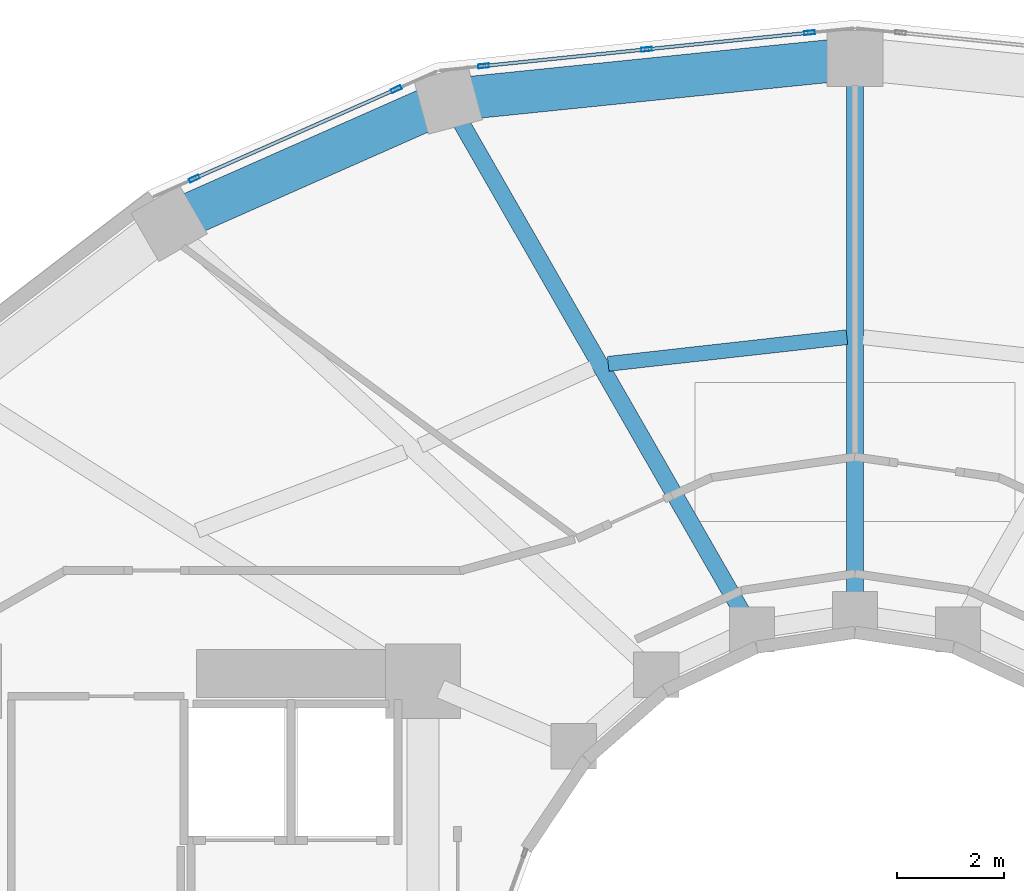
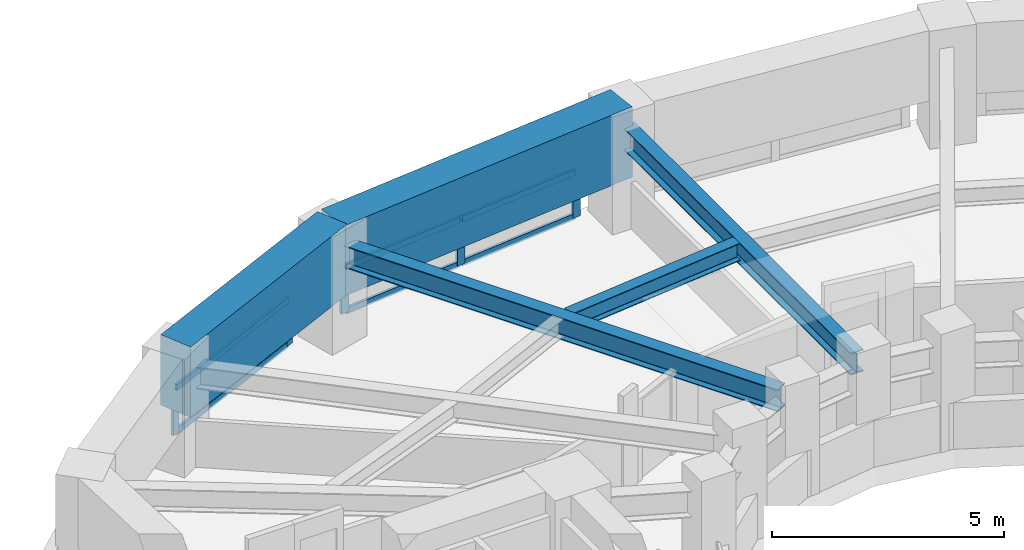
# One storey, part 8 of 19: 11 members, 5 beams, 2 elements without a shape of their own.
"""IFC4 building model written with IfcOpenShell, lengths in metres."""

from ifc_helpers import new_model, si_unit, direction, frame, origin, origin_2d, place, context, subcontext, project, spatial, rectangle, hollow_rectangle, i_section, extrude, material, layer, layer_set, material_profile, profile_set, type_object, element, aggregate, save


model = new_model("IFC4")

# Units and contexts
model_context = context("Model", 3, precision=1e-05, world=origin(), true_north=direction((0.0, 1.0)))
body_context = subcontext(model_context, "Body", "Model", "MODEL_VIEW")
ifc_project = project(units=[si_unit("LENGTHUNIT", "METRE"), si_unit("AREAUNIT", "SQUARE_METRE"), si_unit("VOLUMEUNIT", "CUBIC_METRE"), si_unit("PLANEANGLEUNIT", "RADIAN"), si_unit("MASSUNIT", "GRAM", prefix="KILO")], contexts=[model_context])

# Site, building, storey
site_placement = place(None, origin())
site = spatial("IfcSite", under=ifc_project, at=site_placement, CompositionType="ELEMENT")
building_placement = place(site_placement, origin())
building = spatial("IfcBuilding", under=site, at=building_placement, Name="Solvane Sanctuary Tower", CompositionType="ELEMENT")
storey_placement = place(building_placement, frame((0.0, 0.0, 73.199951171875)))
storey = spatial("IfcBuildingStorey", under=building, at=storey_placement, Name="L21", CompositionType="ELEMENT", Elevation=73.199951171875)

# Beams
ifc_material_1 = material(Name="Steel ASTM A992 Grade 50", Category="steel")
ifc_material_profile_1 = material_profile(ifc_material_1, i_section(OverallWidth=0.31494140625, OverallDepth=0.575927734375, WebThickness=0.01513671875, FlangeThickness=0.0244140625, FilletRadius=0.014892578125, at=origin_2d()), Name="W21X122")
ifc_profile_set_1 = profile_set([ifc_material_profile_1], Name="Steel ASTM A992 Grade 50")
beam_type_1 = type_object("IfcBeamType", Name="Beam B-RAD-Z2 W21X122", PredefinedType="BEAM", material=ifc_profile_set_1)
beam_1_placement = place(storey_placement, frame((32.0, 31.739990234375, 2.31005859375), z_axis=(0.0, 1.0, 0.0), x_axis=(-1.0, 0.0, 0.0)))
element("IfcBeam", 1, at=beam_1_placement, inside=storey, type_object=beam_type_1, Name="L21 Radial Composite Floor Beam 04", PredefinedType="BEAM", context=body_context, shape_type="SweptSolid", body=[
    extrude(i_section(OverallWidth=0.31494140625, OverallDepth=0.575927734375, WebThickness=0.01513671875, FlangeThickness=0.0244140625, FilletRadius=0.014892578125, at=origin_2d()), origin(), (0.0, 0.0, 1.0), 9.860107421875),
])
beam_2_placement = place(storey_placement, frame((29.9296875, 31.41455078125, 2.31005859375), z_axis=(-0.497792245326, 0.8672963049, 0.0), x_axis=(-0.8672963049, -0.497792245326, 0.0)))
element("IfcBeam", 2, at=beam_2_placement, inside=storey, type_object=beam_type_1, Name="L21 Radial Composite Floor Beam 05", PredefinedType="BEAM", context=body_context, shape_type="SweptSolid", body=[
    extrude(i_section(OverallWidth=0.31494140625, OverallDepth=0.575927734375, WebThickness=0.01513671875, FlangeThickness=0.0244140625, FilletRadius=0.014892578125, at=origin_2d()), origin(), (0.0, 0.0, 1.0), 10.887451171875),
])
ifc_material_profile_2 = material_profile(ifc_material_1, i_section(OverallWidth=0.280029296875, OverallDepth=0.462890625, WebThickness=0.0107421875, FlangeThickness=0.017333984375, FilletRadius=0.013916015625, at=origin_2d()), Name="W18X76")
ifc_profile_set_2 = profile_set([ifc_material_profile_2], Name="Steel ASTM A992 Grade 50")
beam_type_2 = type_object("IfcBeamType", Name="Beam B-SEC-JOIST W18X76", PredefinedType="JOIST", material=ifc_profile_set_2)
beam_3_placement = place(storey_placement, frame((27.37158203125, 36.15283203125, 2.366455078125), z_axis=(0.993814804173, 0.111050146357, 0.0), x_axis=(-0.111050146357, 0.993814804173, 0.0)))
element("IfcBeam", 3, at=beam_3_placement, inside=storey, type_object=beam_type_2, Name="L21 Secondary Circumferential Joist 05-04", PredefinedType="JOIST", context=body_context, shape_type="SweptSolid", body=[
    extrude(i_section(OverallWidth=0.280029296875, OverallDepth=0.462890625, WebThickness=0.0107421875, FlangeThickness=0.017333984375, FilletRadius=0.013916015625, at=origin_2d()), origin(), (0.0, 0.0, 1.0), 4.504638671875),
])
ifc_material_2 = material(Name="Concrete C70/85", Category="concrete")
ifc_material_profile_3 = material_profile(ifc_material_2, rectangle(XDim=0.800048828125, YDim=1.85009765625, at=origin_2d()), Name="RC800X1850")
ifc_profile_set_3 = profile_set([ifc_material_profile_3], Name="Concrete C70/85")
beam_type_3 = type_object("IfcBeamType", Name="Beam B-XFER-BLK RC800X1850", PredefinedType="BEAM", material=ifc_profile_set_3)
beam_4_placement = place(storey_placement, frame((19.1416015625, 38.7861328125, 2.175048828125), z_axis=(0.914461816427, 0.404672196101, 0.0), x_axis=(-0.404672196101, 0.914461816427, 0.0)))
element("IfcBeam", 4, at=beam_4_placement, inside=storey, type_object=beam_type_3, Name="L21 Perimeter Step Transfer Ring NTC06-NTC05", PredefinedType="BEAM", context=body_context, shape_type="SweptSolid", body=[
    extrude(rectangle(XDim=0.800048828125, YDim=1.85009765625, at=origin_2d()), origin(), (0.0, 0.0, 1.0), 5.718017578125),
])
beam_5_placement = place(storey_placement, frame((24.37060546875, 41.10009765625, 2.175048828125), z_axis=(0.994817332657, 0.101678289936, 0.0), x_axis=(-0.101678289936, 0.994817332657, 0.0)))
element("IfcBeam", 5, at=beam_5_placement, inside=storey, type_object=beam_type_3, Name="L21 Perimeter Step Transfer Ring NTC05-NTC04", PredefinedType="BEAM", context=body_context, shape_type="SweptSolid", body=[
    extrude(rectangle(XDim=0.800048828125, YDim=1.85009765625, at=origin_2d()), origin(), (0.0, 0.0, 1.0), 7.669189453125),
])

# Curtain wall, members
ifc_material_3 = material(Name="Anodised Aluminium 6063-T6", Category="aluminium")
ifc_layer = layer(ifc_material_3, 0.18994140625, Name="Anodised Aluminium 6063-T6")
ifc_layer_set = layer_set([ifc_layer], Name="Anodised Aluminium 6063-T6")
curtain_wall_type = type_object("IfcCurtainWallType", Name="Curtain Wall CW-OPER", PredefinedType="NOTDEFINED", material=ifc_layer_set)
curtain_wall_1_placement = place(storey_placement, origin())
curtain_wall_1 = element("IfcCurtainWall", 6, at=curtain_wall_1_placement, inside=storey, type_object=curtain_wall_type, Name="L21 CW-OPER Facade Run 06", PredefinedType="NOTDEFINED")
ifc_material_profile_4 = material_profile(ifc_material_3, hollow_rectangle(XDim=0.074951171875, YDim=0.199951171875, WallThickness=0.00390625, at=origin_2d()), Name="ALU200X75X4")
ifc_profile_set_4 = profile_set([ifc_material_profile_4], Name="Anodised Aluminium 6063-T6")
member_type_1 = type_object("IfcMemberType", Name="Member M-CW-MUL-1 ALU200X75X4", PredefinedType="MULLION", material=ifc_profile_set_4)
member_1_placement = place(storey_placement, frame((31.14697265625, 42.362060546875, 0.0), z_axis=(0.0, 0.0, 1.0), x_axis=(0.101658261166, -0.994819379554, 0.0)))
member_1 = element("IfcMember", 7, at=member_1_placement, type_object=member_type_1, Name="CW-OPER mullion 1", PredefinedType="MULLION", context=body_context, shape_type="SweptSolid", body=[
    extrude(hollow_rectangle(XDim=0.074951171875, YDim=0.199951171875, WallThickness=0.00390625, at=origin_2d()), origin(), (0.0, 0.0, 1.0), 1.219970703125),
])
member_2_placement = place(storey_placement, frame((28.091796875, 42.0498046875, 0.0), z_axis=(0.0, 0.0, 1.0), x_axis=(0.101658261166, -0.994819379554, 0.0)))
member_2 = element("IfcMember", 8, at=member_2_placement, type_object=member_type_1, Name="CW-OPER mullion 2", PredefinedType="MULLION", context=body_context, shape_type="SweptSolid", body=[
    extrude(hollow_rectangle(XDim=0.074951171875, YDim=0.199951171875, WallThickness=0.00390625, at=origin_2d()), origin(), (0.0, 0.0, 1.0), 1.219970703125),
])
member_3_placement = place(storey_placement, frame((25.036865234375, 41.73779296875, 0.0), z_axis=(0.0, 0.0, 1.0), x_axis=(0.101658261166, -0.994819379554, 0.0)))
member_3 = element("IfcMember", 9, at=member_3_placement, type_object=member_type_1, Name="CW-OPER mullion 3", PredefinedType="MULLION", context=body_context, shape_type="SweptSolid", body=[
    extrude(hollow_rectangle(XDim=0.074951171875, YDim=0.199951171875, WallThickness=0.00390625, at=origin_2d()), origin(), (0.0, 0.0, 1.0), 1.219970703125),
])

curtain_wall_2_placement = place(storey_placement, origin())
curtain_wall_2 = element("IfcCurtainWall", 10, at=curtain_wall_2_placement, inside=storey, type_object=curtain_wall_type, Name="L21 CW-OPER Facade Run 07", PredefinedType="NOTDEFINED")
member_4_placement = place(storey_placement, frame((23.399658203125, 41.30322265625, 0.0), z_axis=(0.0, 0.0, 1.0), x_axis=(0.404950504664, -0.914338607285, 0.0)))
member_4 = element("IfcMember", 11, at=member_4_placement, type_object=member_type_1, Name="CW-OPER mullion 1", PredefinedType="MULLION", context=body_context, shape_type="SweptSolid", body=[
    extrude(hollow_rectangle(XDim=0.074951171875, YDim=0.199951171875, WallThickness=0.00390625, at=origin_2d()), origin(), (0.0, 0.0, 1.0), 1.219970703125),
])
member_5_placement = place(storey_placement, frame((19.61083984375, 39.625244140625, 0.0), z_axis=(0.0, 0.0, 1.0), x_axis=(0.404950504664, -0.914338607285, 0.0)))
member_5 = element("IfcMember", 12, at=member_5_placement, type_object=member_type_1, Name="CW-OPER mullion 2", PredefinedType="MULLION", context=body_context, shape_type="SweptSolid", body=[
    extrude(hollow_rectangle(XDim=0.074951171875, YDim=0.199951171875, WallThickness=0.00390625, at=origin_2d()), origin(), (0.0, 0.0, 1.0), 1.219970703125),
])

# Member
ifc_material_profile_5 = material_profile(ifc_material_3, hollow_rectangle(XDim=0.06494140625, YDim=0.159912109375, WallThickness=0.00341796875, at=origin_2d()), Name="ALU160X65X3.5")
ifc_profile_set_5 = profile_set([ifc_material_profile_5], Name="Anodised Aluminium 6063-T6")
member_type_2 = type_object("IfcMemberType", Name="Member M-CW-TRN-1 ALU160X65X3.5", PredefinedType="USERDEFINED", material=ifc_profile_set_5)
member_6_placement = place(storey_placement, frame((31.109619140625, 42.358154296875, 0.032470703125), z_axis=(-0.994823556259, -0.101617379968, 0.0), x_axis=(0.101617379968, -0.994823556259, 0.0)))
member_6 = element("IfcMember", 13, at=member_6_placement, type_object=member_type_2, Name="CW-OPER transom 1.1", ObjectType="TRANSOM", PredefinedType="USERDEFINED", context=body_context, shape_type="SweptSolid", body=[
    extrude(hollow_rectangle(XDim=0.06494140625, YDim=0.159912109375, WallThickness=0.00341796875, at=origin_2d()), origin(), (0.0, 0.0, 1.0), 2.99609375),
])

member_7_placement = place(storey_placement, frame((31.109619140625, 42.358154296875, 1.1875), z_axis=(-0.994823556259, -0.101617379968, 0.0), x_axis=(0.101617379968, -0.994823556259, 0.0)))
member_7 = element("IfcMember", 14, at=member_7_placement, type_object=member_type_2, Name="CW-OPER transom 1.2", ObjectType="TRANSOM", PredefinedType="USERDEFINED", context=body_context, shape_type="SweptSolid", body=[
    extrude(hollow_rectangle(XDim=0.06494140625, YDim=0.159912109375, WallThickness=0.00341796875, at=origin_2d()), origin(), (0.0, 0.0, 1.0), 2.99609375),
])

member_8_placement = place(storey_placement, frame((28.054443359375, 42.046142578125, 0.032470703125), z_axis=(-0.994814472277, -0.101706271926, 0.0), x_axis=(0.101706271926, -0.994814472277, 0.0)))
member_8 = element("IfcMember", 15, at=member_8_placement, type_object=member_type_2, Name="CW-OPER transom 2.1", ObjectType="TRANSOM", PredefinedType="USERDEFINED", context=body_context, shape_type="SweptSolid", body=[
    extrude(hollow_rectangle(XDim=0.06494140625, YDim=0.159912109375, WallThickness=0.00341796875, at=origin_2d()), origin(), (0.0, 0.0, 1.0), 2.995849609375),
])

member_9_placement = place(storey_placement, frame((28.054443359375, 42.046142578125, 1.1875), z_axis=(-0.994814472277, -0.101706271926, 0.0), x_axis=(0.101706271926, -0.994814472277, 0.0)))
member_9 = element("IfcMember", 16, at=member_9_placement, type_object=member_type_2, Name="CW-OPER transom 2.2", ObjectType="TRANSOM", PredefinedType="USERDEFINED", context=body_context, shape_type="SweptSolid", body=[
    extrude(hollow_rectangle(XDim=0.06494140625, YDim=0.159912109375, WallThickness=0.00341796875, at=origin_2d()), origin(), (0.0, 0.0, 1.0), 2.995849609375),
])

aggregate(curtain_wall_1, [member_1, member_2, member_3, member_6, member_7, member_8, member_9])

member_10_placement = place(storey_placement, frame((23.365234375, 41.2880859375, 0.032470703125), z_axis=(-0.914332885629, -0.404963423357, 0.0), x_axis=(0.404963423357, -0.914332885629, 0.0)))
member_10 = element("IfcMember", 17, at=member_10_placement, type_object=member_type_2, Name="CW-OPER transom 1.1", ObjectType="TRANSOM", PredefinedType="USERDEFINED", context=body_context, shape_type="SweptSolid", body=[
    extrude(hollow_rectangle(XDim=0.06494140625, YDim=0.159912109375, WallThickness=0.00341796875, at=origin_2d()), origin(), (0.0, 0.0, 1.0), 4.06884765625),
])

member_11_placement = place(storey_placement, frame((23.365234375, 41.2880859375, 1.1875), z_axis=(-0.914332885629, -0.404963423357, 0.0), x_axis=(0.404963423357, -0.914332885629, 0.0)))
member_11 = element("IfcMember", 18, at=member_11_placement, type_object=member_type_2, Name="CW-OPER transom 1.2", ObjectType="TRANSOM", PredefinedType="USERDEFINED", context=body_context, shape_type="SweptSolid", body=[
    extrude(hollow_rectangle(XDim=0.06494140625, YDim=0.159912109375, WallThickness=0.00341796875, at=origin_2d()), origin(), (0.0, 0.0, 1.0), 4.06884765625),
])

aggregate(curtain_wall_2, [member_4, member_5, member_10, member_11])

save(model, "model.ifc")
